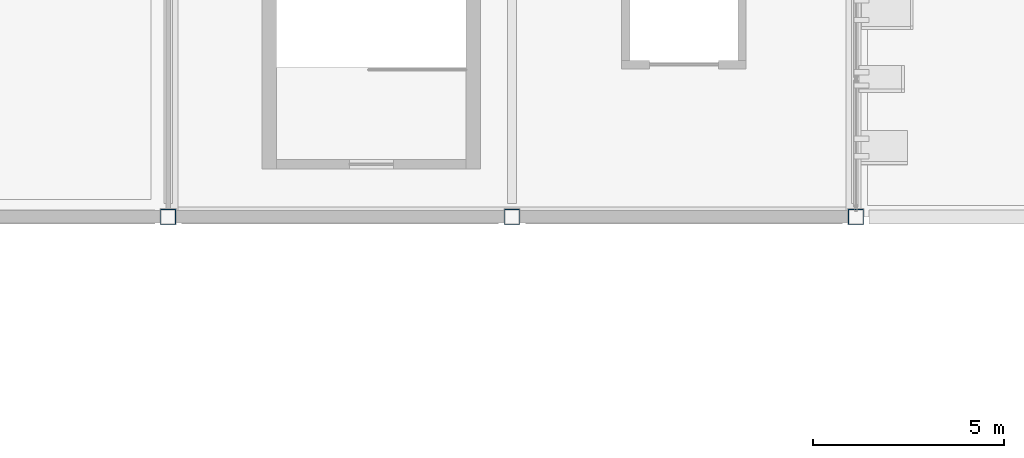
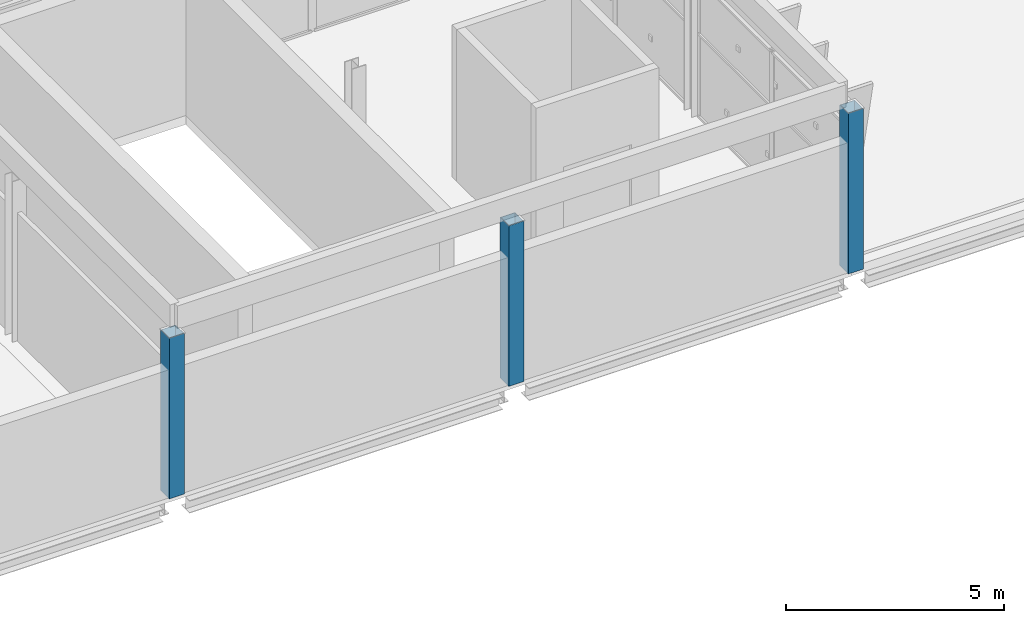
# One storey, part 2 of 78: 3 columns.
"""IFC4 building model written with IfcOpenShell, lengths in metres."""

from ifc_helpers import new_model, si_unit, direction, frame, origin, origin_2d, place, context, subcontext, project, spatial, hollow_rectangle, extrude, material, material_profile, profile_set, type_object, element, save


model = new_model("IFC4")

# Units and contexts
model_context = context("Model", 3, precision=1e-05, world=origin(), true_north=direction((0.0, 1.0)))
body_context = subcontext(model_context, "Body", "Model", "MODEL_VIEW")
ifc_project = project(units=[si_unit("LENGTHUNIT", "METRE"), si_unit("AREAUNIT", "SQUARE_METRE"), si_unit("VOLUMEUNIT", "CUBIC_METRE"), si_unit("PLANEANGLEUNIT", "RADIAN"), si_unit("MASSUNIT", "GRAM", prefix="KILO")], contexts=[model_context])

# Site, building, storey
site_placement = place(None, origin())
site = spatial("IfcSite", under=ifc_project, at=site_placement, CompositionType="ELEMENT")
building_placement = place(site_placement, origin())
building = spatial("IfcBuilding", under=site, at=building_placement, Name="Celestram Park Convention Centre", CompositionType="ELEMENT")
storey_placement = place(building_placement, frame((0.0, 0.0, 19.800048828125)))
storey = spatial("IfcBuildingStorey", under=building, at=storey_placement, Name="L04", CompositionType="ELEMENT", Elevation=19.800048828125)

# Columns
ifc_material = material(Name="Steel ASTM A500 Grade C", Category="steel")
ifc_material_profile = material_profile(ifc_material, hollow_rectangle(XDim=0.39990234375, YDim=0.39990234375, WallThickness=0.01611328125, at=origin_2d()), Name="HSS400X400X16")
ifc_profile_set = profile_set([ifc_material_profile], Name="Steel ASTM A500 Grade C")
column_type = type_object("IfcColumnType", Name="STR-COL-HSS400", PredefinedType="COLUMN", material=ifc_profile_set)
for number, where, z_axis, x_axis, name in (
    (1, (99.0, 108.0, 0.0), (0.0, 0.0, 1.0), (1.0, 0.0, 0.0), "Column CN-L04-061"),
    (2, (108.0, 108.0, 0.0), (0.0, 0.0, 1.0), (1.0, 0.0, 0.0), "Column CN-L04-070"),
    (3, (117.0, 108.0, 0.0), (0.0, 0.0, 1.0), (1.0, 0.0, 0.0), "Column CN-L04-073"),
):
    element("IfcColumn", number, at=place(storey_placement, frame(where, z_axis=z_axis, x_axis=x_axis)), inside=storey, type_object=column_type, Name=name, PredefinedType="COLUMN", context=body_context, shape_type="SweptSolid", body=[
        extrude(hollow_rectangle(XDim=0.39990234375, YDim=0.39990234375, WallThickness=0.01611328125, at=origin_2d()), origin(), (0.0, 0.0, 1.0), 4.5),
    ])

save(model, "model.ifc")
